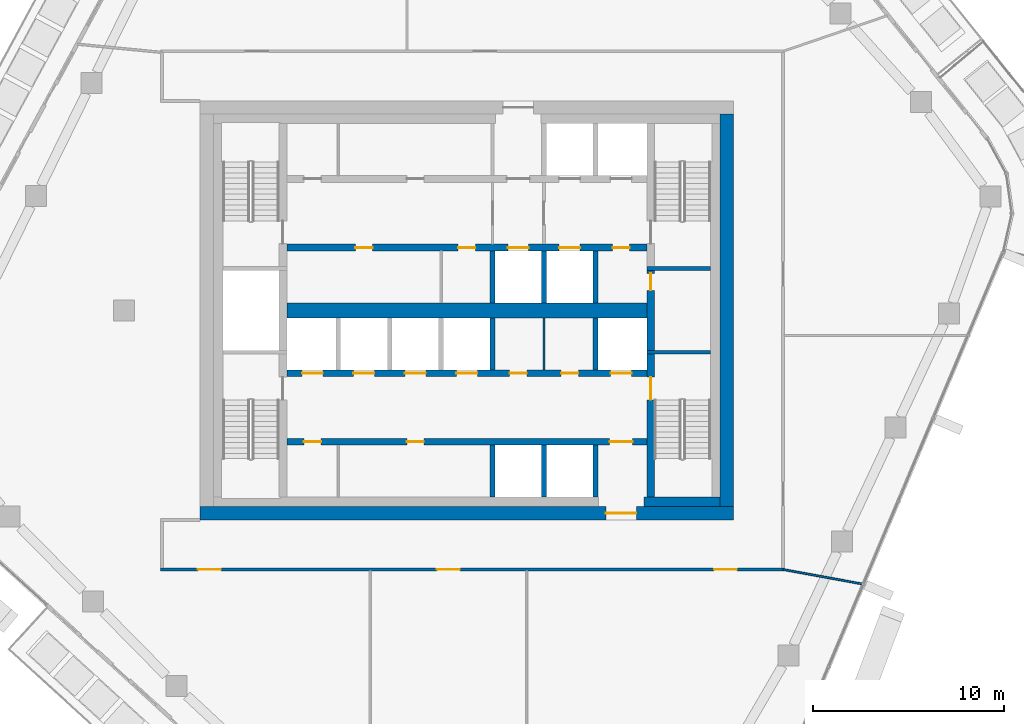
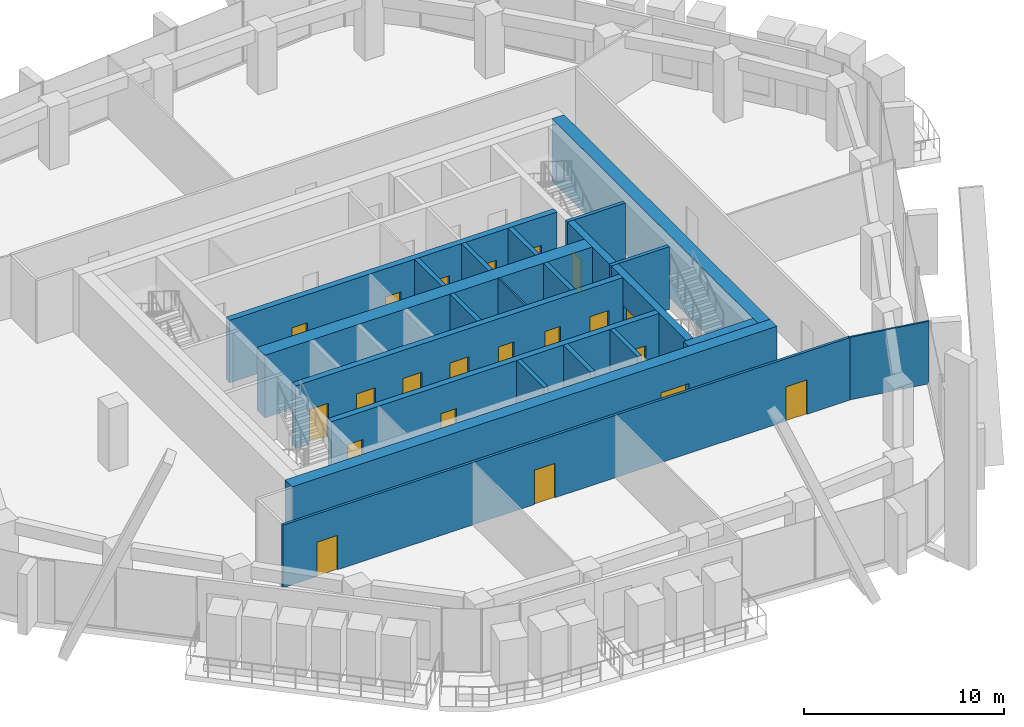
# One storey, part 12 of 20: 22 walls, 21 doors, 21 openings.
"""IFC4 building model written with IfcOpenShell, lengths in metres."""

from ifc_helpers import new_model, si_unit, direction, frame, frame_2d, origin, place, context, subcontext, project, spatial, rectangle, extrude, material, layer, layer_set, type_object, element, fill, save


model = new_model("IFC4")

# Units and contexts
model_context = context("Model", 3, precision=1e-05, world=origin(), true_north=direction((0.0, 1.0)))
body_context = subcontext(model_context, "Body", "Model", "MODEL_VIEW")
ifc_project = project(units=[si_unit("LENGTHUNIT", "METRE"), si_unit("AREAUNIT", "SQUARE_METRE"), si_unit("VOLUMEUNIT", "CUBIC_METRE"), si_unit("PLANEANGLEUNIT", "RADIAN"), si_unit("MASSUNIT", "GRAM", prefix="KILO")], contexts=[model_context])

# Site, building, storey
site_placement = place(None, origin())
site = spatial("IfcSite", under=ifc_project, at=site_placement, CompositionType="ELEMENT")
building_placement = place(site_placement, origin())
building = spatial("IfcBuilding", under=site, at=building_placement, Name="Dongbaek Canopy Tower", CompositionType="ELEMENT")
storey_placement = place(building_placement, frame((0.0, 0.0, 253.800048828125)))
storey = spatial("IfcBuildingStorey", under=building, at=storey_placement, Name="L53", CompositionType="ELEMENT", Elevation=253.800048828125)

# Wall
ifc_material_1 = material(Name="Concrete C60/75", Category="concrete")
ifc_layer_1 = layer(ifc_material_1, 0.800048828125)
ifc_layer_set_1 = layer_set([ifc_layer_1], Name="Core central wall 800 Concrete C60/75")
wall_type_1 = type_object("IfcWallType", Name="Core central wall 800 Concrete C60/75", PredefinedType="SHEAR", material=ifc_layer_set_1)
wall_1_placement = place(storey_placement, frame((-9.449951171875, 0.0, 0.0), z_axis=(0.0, 0.0, 1.0), x_axis=(1.0, 0.0, 0.0)))
element("IfcWall", 1, at=wall_1_placement, inside=storey, type_object=wall_type_1, Name="Core wall", PredefinedType="SHEAR", context=body_context, shape_type="SweptSolid", body=[
    extrude(rectangle(XDim=18.89990234375, YDim=0.800048828125, at=frame_2d((9.449951171875, 0.0))), origin(), (0.0, 0.0, 1.0), 3.820068359375),
])

# Wall, openings, doors
ifc_material_2 = material(Name="Concrete C60/75", Category="concrete")
ifc_layer_2 = layer(ifc_material_2, 0.35009765625)
ifc_layer_set_2 = layer_set([ifc_layer_2], Name="Core lobby wall 350 Concrete C60/75")
wall_type_2 = type_object("IfcWallType", Name="Core lobby wall 350 Concrete C60/75", PredefinedType="SHEAR", material=ifc_layer_set_2)
wall_2_placement = place(storey_placement, frame((9.449951171875, 3.300048828125, 0.0), z_axis=(0.0, 0.0, 1.0), x_axis=(-1.0, 0.0, 0.0)))
wall_2 = element("IfcWall", 2, at=wall_2_placement, inside=storey, type_object=wall_type_2, Name="Core wall", PredefinedType="SHEAR", context=body_context, shape_type="SweptSolid", body=[
    extrude(rectangle(XDim=18.89990234375, YDim=0.35009765625, at=frame_2d((9.449951171875, 0.0))), origin(), (0.0, 0.0, 1.0), 3.820068359375),
])
opening_1_placement = place(wall_2_placement, frame((6.199951171875, 0.0, 0.0)))
opening_1 = element("IfcOpeningElement", 3, at=opening_1_placement, cuts=wall_2, Name="Opening L53-D013", PredefinedType="OPENING", context=body_context, shape_type="SweptSolid", body=[
    extrude(rectangle(XDim=1.10009765625, YDim=2.10009765625, at=frame_2d((0.550048828125, 1.050048828125))), frame((0.0, 0.18505859375, 0.0), z_axis=(0.0, -1.0, 0.0), x_axis=(1.0, 0.0, 0.0)), (0.0, 0.0, 1.0), 0.3701171875),
])
opening_2_placement = place(wall_2_placement, frame((3.5, 0.0, 0.0)))
opening_2 = element("IfcOpeningElement", 4, at=opening_2_placement, cuts=wall_2, Name="Opening L53-D014", PredefinedType="OPENING", context=body_context, shape_type="SweptSolid", body=[
    extrude(rectangle(XDim=1.10009765625, YDim=2.10009765625, at=frame_2d((0.550048828125, 1.050048828125))), frame((0.0, 0.18505859375, 0.0), z_axis=(0.0, -1.0, 0.0), x_axis=(1.0, 0.0, 0.0)), (0.0, 0.0, 1.0), 0.3701171875),
])
opening_3_placement = place(wall_2_placement, frame((0.89990234375, 0.0, 0.0)))
opening_3 = element("IfcOpeningElement", 5, at=opening_3_placement, cuts=wall_2, Name="Opening L53-D015", PredefinedType="OPENING", context=body_context, shape_type="SweptSolid", body=[
    extrude(rectangle(XDim=0.89990234375, YDim=2.10009765625, at=frame_2d((0.449951171875, 1.050048828125))), frame((0.0, 0.18505859375, 0.0), z_axis=(0.0, -1.0, 0.0), x_axis=(1.0, 0.0, 0.0)), (0.0, 0.0, 1.0), 0.3701171875),
])
opening_4_placement = place(wall_2_placement, frame((14.39990234375, 0.0, 0.0)))
opening_4 = element("IfcOpeningElement", 6, at=opening_4_placement, cuts=wall_2, Name="Opening L53-D025", PredefinedType="OPENING", context=body_context, shape_type="SweptSolid", body=[
    extrude(rectangle(XDim=0.89990234375, YDim=2.10009765625, at=frame_2d((0.449951171875, 1.050048828125))), frame((0.0, 0.18505859375, 0.0), z_axis=(0.0, -1.0, 0.0), x_axis=(1.0, 0.0, 0.0)), (0.0, 0.0, 1.0), 0.3701171875),
])
opening_5_placement = place(wall_2_placement, frame((9.0, 0.0, 0.0)))
opening_5 = element("IfcOpeningElement", 7, at=opening_5_placement, cuts=wall_2, Name="Opening L53-D026", PredefinedType="OPENING", context=body_context, shape_type="SweptSolid", body=[
    extrude(rectangle(XDim=0.89990234375, YDim=2.10009765625, at=frame_2d((0.449951171875, 1.050048828125))), frame((0.0, 0.18505859375, 0.0), z_axis=(0.0, -1.0, 0.0), x_axis=(1.0, 0.0, 0.0)), (0.0, 0.0, 1.0), 0.3701171875),
])
ifc_material_3 = material(Name="Steel", Category="steel")
door_type_1 = type_object("IfcDoorType", Name="Core room door 900 x 2100", OperationType="SINGLE_SWING_LEFT", PredefinedType="DOOR", material=ifc_material_3)
door_1_placement = place(opening_3_placement, origin())
door_1 = element("IfcDoor", 8, at=door_1_placement, inside=storey, type_object=door_type_1, Name="Door L53-D015", OperationType="SINGLE_SWING_LEFT", OverallHeight=2.10009765625, OverallWidth=0.89990234375, PredefinedType="DOOR", context=body_context, shape_type="SweptSolid", body=[
    extrude(rectangle(XDim=0.89990234375, YDim=2.10009765625, at=frame_2d((0.449951171875, 1.050048828125))), frame((0.0, 0.02490234375, 0.0), z_axis=(0.0, -1.0, 0.0), x_axis=(1.0, 0.0, 0.0)), (0.0, 0.0, 1.0), 0.050048828125),
])
fill(opening_3, door_1)
door_2_placement = place(opening_4_placement, origin())
door_2 = element("IfcDoor", 9, at=door_2_placement, inside=storey, type_object=door_type_1, Name="Door L53-D025", OperationType="SINGLE_SWING_RIGHT", OverallHeight=2.10009765625, OverallWidth=0.89990234375, PredefinedType="DOOR", context=body_context, shape_type="SweptSolid", body=[
    extrude(rectangle(XDim=0.89990234375, YDim=2.10009765625, at=frame_2d((0.449951171875, 1.050048828125))), frame((0.0, 0.02490234375, 0.0), z_axis=(0.0, -1.0, 0.0), x_axis=(1.0, 0.0, 0.0)), (0.0, 0.0, 1.0), 0.050048828125),
])
fill(opening_4, door_2)
door_3_placement = place(opening_5_placement, origin())
door_3 = element("IfcDoor", 10, at=door_3_placement, inside=storey, type_object=door_type_1, Name="Door L53-D026", OperationType="SINGLE_SWING_LEFT", OverallHeight=2.10009765625, OverallWidth=0.89990234375, PredefinedType="DOOR", context=body_context, shape_type="SweptSolid", body=[
    extrude(rectangle(XDim=0.89990234375, YDim=2.10009765625, at=frame_2d((0.449951171875, 1.050048828125))), frame((0.0, 0.02490234375, 0.0), z_axis=(0.0, -1.0, 0.0), x_axis=(1.0, 0.0, 0.0)), (0.0, 0.0, 1.0), 0.050048828125),
])
fill(opening_5, door_3)
ifc_material_4 = material(Name="Stainless steel", Category="steel")
door_type_2 = type_object("IfcDoorType", Name="Lift landing door 1100 x 2100", OperationType="DOUBLE_DOOR_SLIDING", PredefinedType="DOOR", material=ifc_material_4)
door_4_placement = place(opening_1_placement, origin())
door_4 = element("IfcDoor", 11, at=door_4_placement, inside=storey, type_object=door_type_2, Name="Landing door SV1", OperationType="DOUBLE_DOOR_SLIDING", OverallHeight=2.10009765625, OverallWidth=1.10009765625, PredefinedType="DOOR", context=body_context, shape_type="SweptSolid", body=[
    extrude(rectangle(XDim=1.10009765625, YDim=2.10009765625, at=frame_2d((0.550048828125, 1.050048828125))), frame((0.0, 0.02490234375, 0.0), z_axis=(0.0, -1.0, 0.0), x_axis=(1.0, 0.0, 0.0)), (0.0, 0.0, 1.0), 0.050048828125),
])
fill(opening_1, door_4)
door_5_placement = place(opening_2_placement, origin())
door_5 = element("IfcDoor", 12, at=door_5_placement, inside=storey, type_object=door_type_2, Name="Landing door FF3", OperationType="DOUBLE_DOOR_SLIDING", OverallHeight=2.10009765625, OverallWidth=1.10009765625, PredefinedType="DOOR", context=body_context, shape_type="SweptSolid", body=[
    extrude(rectangle(XDim=1.10009765625, YDim=2.10009765625, at=frame_2d((0.550048828125, 1.050048828125))), frame((0.0, 0.02490234375, 0.0), z_axis=(0.0, -1.0, 0.0), x_axis=(1.0, 0.0, 0.0)), (0.0, 0.0, 1.0), 0.050048828125),
])
fill(opening_2, door_5)

wall_3_placement = place(storey_placement, frame((-9.449951171875, -3.300048828125, 0.0), z_axis=(0.0, 0.0, 1.0), x_axis=(1.0, 0.0, 0.0)))
wall_3 = element("IfcWall", 13, at=wall_3_placement, inside=storey, type_object=wall_type_2, Name="Core wall", PredefinedType="SHEAR", context=body_context, shape_type="SweptSolid", body=[
    extrude(rectangle(XDim=18.89990234375, YDim=0.35009765625, at=frame_2d((9.449951171875, 0.0))), origin(), (0.0, 0.0, 1.0), 3.820068359375),
])
opening_6_placement = place(wall_3_placement, frame((0.800048828125, 0.0, 0.0)))
opening_6 = element("IfcOpeningElement", 14, at=opening_6_placement, cuts=wall_3, Name="Opening L53-D016", PredefinedType="OPENING", context=body_context, shape_type="SweptSolid", body=[
    extrude(rectangle(XDim=1.10009765625, YDim=2.10009765625, at=frame_2d((0.550048828125, 1.050048828125))), frame((0.0, 0.18505859375, 0.0), z_axis=(0.0, -1.0, 0.0), x_axis=(1.0, 0.0, 0.0)), (0.0, 0.0, 1.0), 0.3701171875),
])
opening_7_placement = place(wall_3_placement, frame((3.5, 0.0, 0.0)))
opening_7 = element("IfcOpeningElement", 15, at=opening_7_placement, cuts=wall_3, Name="Opening L53-D017", PredefinedType="OPENING", context=body_context, shape_type="SweptSolid", body=[
    extrude(rectangle(XDim=1.10009765625, YDim=2.10009765625, at=frame_2d((0.550048828125, 1.050048828125))), frame((0.0, 0.18505859375, 0.0), z_axis=(0.0, -1.0, 0.0), x_axis=(1.0, 0.0, 0.0)), (0.0, 0.0, 1.0), 0.3701171875),
])
opening_8_placement = place(wall_3_placement, frame((6.199951171875, 0.0, 0.0)))
opening_8 = element("IfcOpeningElement", 16, at=opening_8_placement, cuts=wall_3, Name="Opening L53-D018", PredefinedType="OPENING", context=body_context, shape_type="SweptSolid", body=[
    extrude(rectangle(XDim=1.10009765625, YDim=2.10009765625, at=frame_2d((0.550048828125, 1.050048828125))), frame((0.0, 0.18505859375, 0.0), z_axis=(0.0, -1.0, 0.0), x_axis=(1.0, 0.0, 0.0)), (0.0, 0.0, 1.0), 0.3701171875),
])
opening_9_placement = place(wall_3_placement, frame((8.89990234375, 0.0, 0.0)))
opening_9 = element("IfcOpeningElement", 17, at=opening_9_placement, cuts=wall_3, Name="Opening L53-D019", PredefinedType="OPENING", context=body_context, shape_type="SweptSolid", body=[
    extrude(rectangle(XDim=1.10009765625, YDim=2.10009765625, at=frame_2d((0.550048828125, 1.050048828125))), frame((0.0, 0.18505859375, 0.0), z_axis=(0.0, -1.0, 0.0), x_axis=(1.0, 0.0, 0.0)), (0.0, 0.0, 1.0), 0.3701171875),
])
opening_10_placement = place(wall_3_placement, frame((17.0, 0.0, 0.0)))
opening_10 = element("IfcOpeningElement", 18, at=opening_10_placement, cuts=wall_3, Name="Opening L53-D020", PredefinedType="OPENING", context=body_context, shape_type="SweptSolid", body=[
    extrude(rectangle(XDim=1.10009765625, YDim=2.10009765625, at=frame_2d((0.550048828125, 1.050048828125))), frame((0.0, 0.18505859375, 0.0), z_axis=(0.0, -1.0, 0.0), x_axis=(1.0, 0.0, 0.0)), (0.0, 0.0, 1.0), 0.3701171875),
])
opening_11_placement = place(wall_3_placement, frame((11.699951171875, 0.0, 0.0)))
opening_11 = element("IfcOpeningElement", 19, at=opening_11_placement, cuts=wall_3, Name="Opening L53-D027", PredefinedType="OPENING", context=body_context, shape_type="SweptSolid", body=[
    extrude(rectangle(XDim=0.89990234375, YDim=2.10009765625, at=frame_2d((0.449951171875, 1.050048828125))), frame((0.0, 0.18505859375, 0.0), z_axis=(0.0, -1.0, 0.0), x_axis=(1.0, 0.0, 0.0)), (0.0, 0.0, 1.0), 0.3701171875),
])
opening_12_placement = place(wall_3_placement, frame((14.39990234375, 0.0, 0.0)))
opening_12 = element("IfcOpeningElement", 20, at=opening_12_placement, cuts=wall_3, Name="Opening L53-D028", PredefinedType="OPENING", context=body_context, shape_type="SweptSolid", body=[
    extrude(rectangle(XDim=0.89990234375, YDim=2.10009765625, at=frame_2d((0.449951171875, 1.050048828125))), frame((0.0, 0.18505859375, 0.0), z_axis=(0.0, -1.0, 0.0), x_axis=(1.0, 0.0, 0.0)), (0.0, 0.0, 1.0), 0.3701171875),
])
door_6_placement = place(opening_11_placement, origin())
door_6 = element("IfcDoor", 21, at=door_6_placement, inside=storey, type_object=door_type_1, Name="Door L53-D027", OperationType="SINGLE_SWING_RIGHT", OverallHeight=2.10009765625, OverallWidth=0.89990234375, PredefinedType="DOOR", context=body_context, shape_type="SweptSolid", body=[
    extrude(rectangle(XDim=0.89990234375, YDim=2.10009765625, at=frame_2d((0.449951171875, 1.050048828125))), frame((0.0, 0.02490234375, 0.0), z_axis=(0.0, -1.0, 0.0), x_axis=(1.0, 0.0, 0.0)), (0.0, 0.0, 1.0), 0.050048828125),
])
fill(opening_11, door_6)
door_7_placement = place(opening_12_placement, origin())
door_7 = element("IfcDoor", 22, at=door_7_placement, inside=storey, type_object=door_type_1, Name="Door L53-D028", OperationType="SINGLE_SWING_LEFT", OverallHeight=2.10009765625, OverallWidth=0.89990234375, PredefinedType="DOOR", context=body_context, shape_type="SweptSolid", body=[
    extrude(rectangle(XDim=0.89990234375, YDim=2.10009765625, at=frame_2d((0.449951171875, 1.050048828125))), frame((0.0, 0.02490234375, 0.0), z_axis=(0.0, -1.0, 0.0), x_axis=(1.0, 0.0, 0.0)), (0.0, 0.0, 1.0), 0.050048828125),
])
fill(opening_12, door_7)
door_8_placement = place(opening_6_placement, origin())
door_8 = element("IfcDoor", 23, at=door_8_placement, inside=storey, type_object=door_type_2, Name="Landing door MR1", OperationType="DOUBLE_DOOR_SLIDING", OverallHeight=2.10009765625, OverallWidth=1.10009765625, PredefinedType="DOOR", context=body_context, shape_type="SweptSolid", body=[
    extrude(rectangle(XDim=1.10009765625, YDim=2.10009765625, at=frame_2d((0.550048828125, 1.050048828125))), frame((0.0, 0.02490234375, 0.0), z_axis=(0.0, -1.0, 0.0), x_axis=(1.0, 0.0, 0.0)), (0.0, 0.0, 1.0), 0.050048828125),
])
fill(opening_6, door_8)
door_9_placement = place(opening_7_placement, origin())
door_9 = element("IfcDoor", 24, at=door_9_placement, inside=storey, type_object=door_type_2, Name="Landing door MR2", OperationType="DOUBLE_DOOR_SLIDING", OverallHeight=2.10009765625, OverallWidth=1.10009765625, PredefinedType="DOOR", context=body_context, shape_type="SweptSolid", body=[
    extrude(rectangle(XDim=1.10009765625, YDim=2.10009765625, at=frame_2d((0.550048828125, 1.050048828125))), frame((0.0, 0.02490234375, 0.0), z_axis=(0.0, -1.0, 0.0), x_axis=(1.0, 0.0, 0.0)), (0.0, 0.0, 1.0), 0.050048828125),
])
fill(opening_7, door_9)
door_10_placement = place(opening_8_placement, origin())
door_10 = element("IfcDoor", 25, at=door_10_placement, inside=storey, type_object=door_type_2, Name="Landing door MR3", OperationType="DOUBLE_DOOR_SLIDING", OverallHeight=2.10009765625, OverallWidth=1.10009765625, PredefinedType="DOOR", context=body_context, shape_type="SweptSolid", body=[
    extrude(rectangle(XDim=1.10009765625, YDim=2.10009765625, at=frame_2d((0.550048828125, 1.050048828125))), frame((0.0, 0.02490234375, 0.0), z_axis=(0.0, -1.0, 0.0), x_axis=(1.0, 0.0, 0.0)), (0.0, 0.0, 1.0), 0.050048828125),
])
fill(opening_8, door_10)
door_11_placement = place(opening_9_placement, origin())
door_11 = element("IfcDoor", 26, at=door_11_placement, inside=storey, type_object=door_type_2, Name="Landing door MR4", OperationType="DOUBLE_DOOR_SLIDING", OverallHeight=2.10009765625, OverallWidth=1.10009765625, PredefinedType="DOOR", context=body_context, shape_type="SweptSolid", body=[
    extrude(rectangle(XDim=1.10009765625, YDim=2.10009765625, at=frame_2d((0.550048828125, 1.050048828125))), frame((0.0, 0.02490234375, 0.0), z_axis=(0.0, -1.0, 0.0), x_axis=(1.0, 0.0, 0.0)), (0.0, 0.0, 1.0), 0.050048828125),
])
fill(opening_9, door_11)
door_12_placement = place(opening_10_placement, origin())
door_12 = element("IfcDoor", 27, at=door_12_placement, inside=storey, type_object=door_type_2, Name="Landing door SV2", OperationType="DOUBLE_DOOR_SLIDING", OverallHeight=2.10009765625, OverallWidth=1.10009765625, PredefinedType="DOOR", context=body_context, shape_type="SweptSolid", body=[
    extrude(rectangle(XDim=1.10009765625, YDim=2.10009765625, at=frame_2d((0.550048828125, 1.050048828125))), frame((0.0, 0.02490234375, 0.0), z_axis=(0.0, -1.0, 0.0), x_axis=(1.0, 0.0, 0.0)), (0.0, 0.0, 1.0), 0.050048828125),
])
fill(opening_10, door_12)

wall_4_placement = place(storey_placement, frame((9.449951171875, -6.89990234375, 0.0), z_axis=(0.0, 0.0, 1.0), x_axis=(-1.0, 0.0, 0.0)))
wall_4 = element("IfcWall", 28, at=wall_4_placement, inside=storey, type_object=wall_type_2, Name="Core wall", PredefinedType="SHEAR", context=body_context, shape_type="SweptSolid", body=[
    extrude(rectangle(XDim=18.89990234375, YDim=0.35009765625, at=frame_2d((9.449951171875, 0.0))), origin(), (0.0, 0.0, 1.0), 3.820068359375),
])
opening_13_placement = place(wall_4_placement, frame((0.75, 0.0, 0.0)))
opening_13 = element("IfcOpeningElement", 29, at=opening_13_placement, cuts=wall_4, Name="Opening L53-D022", PredefinedType="OPENING", context=body_context, shape_type="SweptSolid", body=[
    extrude(rectangle(XDim=1.199951171875, YDim=2.10009765625, at=frame_2d((0.60009765625, 1.050048828125))), frame((0.0, 0.18505859375, 0.0), z_axis=(0.0, -1.0, 0.0), x_axis=(1.0, 0.0, 0.0)), (0.0, 0.0, 1.0), 0.3701171875),
])
opening_14_placement = place(wall_4_placement, frame((17.10009765625, 0.0, 0.0)))
opening_14 = element("IfcOpeningElement", 30, at=opening_14_placement, cuts=wall_4, Name="Opening L53-D029", PredefinedType="OPENING", context=body_context, shape_type="SweptSolid", body=[
    extrude(rectangle(XDim=0.89990234375, YDim=2.10009765625, at=frame_2d((0.449951171875, 1.050048828125))), frame((0.0, 0.18505859375, 0.0), z_axis=(0.0, -1.0, 0.0), x_axis=(1.0, 0.0, 0.0)), (0.0, 0.0, 1.0), 0.3701171875),
])
opening_15_placement = place(wall_4_placement, frame((11.699951171875, 0.0, 0.0)))
opening_15 = element("IfcOpeningElement", 31, at=opening_15_placement, cuts=wall_4, Name="Opening L53-D030", PredefinedType="OPENING", context=body_context, shape_type="SweptSolid", body=[
    extrude(rectangle(XDim=0.89990234375, YDim=2.10009765625, at=frame_2d((0.449951171875, 1.050048828125))), frame((0.0, 0.18505859375, 0.0), z_axis=(0.0, -1.0, 0.0), x_axis=(1.0, 0.0, 0.0)), (0.0, 0.0, 1.0), 0.3701171875),
])
door_13_placement = place(opening_14_placement, origin())
door_13 = element("IfcDoor", 32, at=door_13_placement, inside=storey, type_object=door_type_1, Name="Door L53-D029", OperationType="SINGLE_SWING_RIGHT", OverallHeight=2.10009765625, OverallWidth=0.89990234375, PredefinedType="DOOR", context=body_context, shape_type="SweptSolid", body=[
    extrude(rectangle(XDim=0.89990234375, YDim=2.10009765625, at=frame_2d((0.449951171875, 1.050048828125))), frame((0.0, 0.02490234375, 0.0), z_axis=(0.0, -1.0, 0.0), x_axis=(1.0, 0.0, 0.0)), (0.0, 0.0, 1.0), 0.050048828125),
])
fill(opening_14, door_13)
door_14_placement = place(opening_15_placement, origin())
door_14 = element("IfcDoor", 33, at=door_14_placement, inside=storey, type_object=door_type_1, Name="Door L53-D030", OperationType="SINGLE_SWING_LEFT", OverallHeight=2.10009765625, OverallWidth=0.89990234375, PredefinedType="DOOR", context=body_context, shape_type="SweptSolid", body=[
    extrude(rectangle(XDim=0.89990234375, YDim=2.10009765625, at=frame_2d((0.449951171875, 1.050048828125))), frame((0.0, 0.02490234375, 0.0), z_axis=(0.0, -1.0, 0.0), x_axis=(1.0, 0.0, 0.0)), (0.0, 0.0, 1.0), 0.050048828125),
])
fill(opening_15, door_14)
ifc_material_5 = material(Name="Steel", Category="steel")
door_type_3 = type_object("IfcDoorType", Name="Fire lobby door 1200 x 2100", OperationType="SINGLE_SWING_LEFT", PredefinedType="DOOR", material=ifc_material_5)
door_15_placement = place(opening_13_placement, origin())
door_15 = element("IfcDoor", 34, at=door_15_placement, inside=storey, type_object=door_type_3, Name="Door L53-D022", OperationType="SINGLE_SWING_LEFT", OverallHeight=2.10009765625, OverallWidth=1.199951171875, PredefinedType="DOOR", context=body_context, shape_type="SweptSolid", body=[
    extrude(rectangle(XDim=1.199951171875, YDim=2.10009765625, at=frame_2d((0.60009765625, 1.050048828125))), frame((0.0, 0.02490234375, 0.0), z_axis=(0.0, -1.0, 0.0), x_axis=(1.0, 0.0, 0.0)), (0.0, 0.0, 1.0), 0.050048828125),
])
fill(opening_13, door_15)

# Wall, opening, door
ifc_material_6 = material(Name="Concrete C70/85", Category="concrete")
ifc_layer_3 = layer(ifc_material_6, 0.699951171875)
ifc_layer_set_3 = layer_set([ifc_layer_3], Name="Core outer wall 700 Concrete C70/85")
wall_type_3 = type_object("IfcWallType", Name="Core outer wall 700 Concrete C70/85", PredefinedType="SHEAR", material=ifc_layer_set_3)
wall_5_placement = place(storey_placement, frame((14.0, -10.64990234375, 0.0), z_axis=(0.0, 0.0, 1.0), x_axis=(-1.0, 0.0, 0.0)))
wall_5 = element("IfcWall", 35, at=wall_5_placement, inside=storey, type_object=wall_type_3, Name="Core wall", PredefinedType="SHEAR", context=body_context, shape_type="SweptSolid", body=[
    extrude(rectangle(XDim=28.0, YDim=0.699951171875, at=frame_2d((14.0, 0.0))), origin(), (0.0, 0.0, 1.0), 3.820068359375),
])
opening_16_placement = place(wall_5_placement, frame((5.10009765625, 0.0, 0.0)))
opening_16 = element("IfcOpeningElement", 36, at=opening_16_placement, cuts=wall_5, Name="Opening L53-D021", PredefinedType="OPENING", context=body_context, shape_type="SweptSolid", body=[
    extrude(rectangle(XDim=1.60009765625, YDim=2.10009765625, at=frame_2d((0.800048828125, 1.050048828125))), frame((0.0, 0.35986328125, 0.0), z_axis=(0.0, -1.0, 0.0), x_axis=(1.0, 0.0, 0.0)), (0.0, 0.0, 1.0), 0.719970703125),
])
ifc_material_7 = material(Name="Steel", Category="steel")
door_type_4 = type_object("IfcDoorType", Name="Core exit door 1600 x 2100", OperationType="DOUBLE_DOOR_SINGLE_SWING", PredefinedType="DOOR", material=ifc_material_7)
door_16_placement = place(opening_16_placement, origin())
door_16 = element("IfcDoor", 37, at=door_16_placement, inside=storey, type_object=door_type_4, Name="Core exit door", OperationType="DOUBLE_DOOR_SINGLE_SWING", OverallHeight=2.10009765625, OverallWidth=1.60009765625, PredefinedType="DOOR", context=body_context, shape_type="SweptSolid", body=[
    extrude(rectangle(XDim=1.60009765625, YDim=2.10009765625, at=frame_2d((0.800048828125, 1.050048828125))), frame((0.0, 0.02490234375, 0.0), z_axis=(0.0, -1.0, 0.0), x_axis=(1.0, 0.0, 0.0)), (0.0, 0.0, 1.0), 0.050048828125),
])
fill(opening_16, door_16)

# Walls
wall_6_placement = place(storey_placement, frame((13.64990234375, 10.300048828125, 0.0), z_axis=(0.0, 0.0, 1.0), x_axis=(0.0, -1.0, 0.0)))
element("IfcWall", 38, at=wall_6_placement, inside=storey, type_object=wall_type_3, Name="Core wall", PredefinedType="SHEAR", context=body_context, shape_type="SweptSolid", body=[
    extrude(rectangle(XDim=20.60009765625, YDim=0.699951171875, at=frame_2d((10.300048828125, 0.0))), origin(), (0.0, 0.0, 1.0), 3.820068359375),
])
ifc_material_8 = material(Name="Concrete C60/75", Category="concrete")
ifc_layer_4 = layer(ifc_material_8, 0.5)
ifc_layer_set_4 = layer_set([ifc_layer_4], Name="Core wall lining 500 Concrete C60/75")
wall_type_4 = type_object("IfcWallType", Name="Core wall lining 500 Concrete C60/75", PredefinedType="SHEAR", material=ifc_layer_set_4)
wall_7_placement = place(storey_placement, frame((13.300048828125, -10.050048828125, 0.0), z_axis=(0.0, 0.0, 1.0), x_axis=(-1.0, 0.0, 0.0)))
element("IfcWall", 39, at=wall_7_placement, inside=storey, type_object=wall_type_4, Name="Core wall lining", PredefinedType="SHEAR", context=body_context, shape_type="SweptSolid", body=[
    extrude(rectangle(XDim=4.0, YDim=0.5, at=frame_2d((2.0, 0.0))), origin(), (0.0, 0.0, 1.0), 3.820068359375),
])

# Wall, openings, doors
ifc_material_9 = material(Name="Gypsum board partition, steel stud, 2 x 15 mm fire board", Category="steel")
ifc_layer_5 = layer(ifc_material_9, 0.14990234375)
ifc_layer_set_5 = layer_set([ifc_layer_5], Name="Fire-rated partition 150 gypsum board")
wall_type_5 = type_object("IfcWallType", Name="Fire-rated partition 150 gypsum board", PredefinedType="PARTITIONING", material=ifc_layer_set_5)
wall_8_placement = place(storey_placement, frame((16.675048828125, -13.60009765625, 0.0), z_axis=(0.0, 0.0, 1.0), x_axis=(-1.0, 0.0, 0.0)))
wall_8 = element("IfcWall", 40, at=wall_8_placement, inside=storey, type_object=wall_type_5, Name="Corridor partition", PredefinedType="PARTITIONING", context=body_context, shape_type="SweptSolid", body=[
    extrude(rectangle(XDim=32.75, YDim=0.14990234375, at=frame_2d((16.375, 0.0))), origin(), (0.0, 0.0, 1.0), 3.820068359375),
])
opening_17_placement = place(wall_8_placement, frame((29.586669921875, 0.0, 0.0)))
opening_17 = element("IfcOpeningElement", 41, at=opening_17_placement, cuts=wall_8, Name="Opening L53-D001", PredefinedType="OPENING", context=body_context, shape_type="SweptSolid", body=[
    extrude(rectangle(XDim=1.199951171875, YDim=2.10009765625, at=frame_2d((0.60009765625, 1.050048828125))), frame((0.0, 0.0849609375, 0.0), z_axis=(0.0, -1.0, 0.0), x_axis=(1.0, 0.0, 0.0)), (0.0, 0.0, 1.0), 0.169921875),
])
opening_18_placement = place(wall_8_placement, frame((17.0400390625, 0.0, 0.0)))
opening_18 = element("IfcOpeningElement", 42, at=opening_18_placement, cuts=wall_8, Name="Opening L53-D002", PredefinedType="OPENING", context=body_context, shape_type="SweptSolid", body=[
    extrude(rectangle(XDim=1.199951171875, YDim=2.10009765625, at=frame_2d((0.60009765625, 1.050048828125))), frame((0.0, 0.0849609375, 0.0), z_axis=(0.0, -1.0, 0.0), x_axis=(1.0, 0.0, 0.0)), (0.0, 0.0, 1.0), 0.169921875),
])
opening_19_placement = place(wall_8_placement, frame((2.494873046875, 0.0, 0.0)))
opening_19 = element("IfcOpeningElement", 43, at=opening_19_placement, cuts=wall_8, Name="Opening L53-D003", PredefinedType="OPENING", context=body_context, shape_type="SweptSolid", body=[
    extrude(rectangle(XDim=1.199951171875, YDim=2.10009765625, at=frame_2d((0.60009765625, 1.050048828125))), frame((0.0, 0.0849609375, 0.0), z_axis=(0.0, -1.0, 0.0), x_axis=(1.0, 0.0, 0.0)), (0.0, 0.0, 1.0), 0.169921875),
])
ifc_material_10 = material(Name="Timber veneered door leaf", Category="wood")
door_type_5 = type_object("IfcDoorType", Name="Room door 1200 x 2100", OperationType="SINGLE_SWING_LEFT", PredefinedType="DOOR", material=ifc_material_10)
door_17_placement = place(opening_17_placement, origin())
door_17 = element("IfcDoor", 44, at=door_17_placement, inside=storey, type_object=door_type_5, Name="Door L53-D001", OperationType="SINGLE_SWING_RIGHT", OverallHeight=2.10009765625, OverallWidth=1.199951171875, PredefinedType="DOOR", context=body_context, shape_type="SweptSolid", body=[
    extrude(rectangle(XDim=1.199951171875, YDim=2.10009765625, at=frame_2d((0.60009765625, 1.050048828125))), frame((0.0, 0.02490234375, 0.0), z_axis=(0.0, -1.0, 0.0), x_axis=(1.0, 0.0, 0.0)), (0.0, 0.0, 1.0), 0.050048828125),
])
fill(opening_17, door_17)
door_18_placement = place(opening_18_placement, origin())
door_18 = element("IfcDoor", 45, at=door_18_placement, inside=storey, type_object=door_type_5, Name="Door L53-D002", OperationType="SINGLE_SWING_LEFT", OverallHeight=2.10009765625, OverallWidth=1.199951171875, PredefinedType="DOOR", context=body_context, shape_type="SweptSolid", body=[
    extrude(rectangle(XDim=1.199951171875, YDim=2.10009765625, at=frame_2d((0.60009765625, 1.050048828125))), frame((0.0, 0.02490234375, 0.0), z_axis=(0.0, -1.0, 0.0), x_axis=(1.0, 0.0, 0.0)), (0.0, 0.0, 1.0), 0.050048828125),
])
fill(opening_18, door_18)
door_19_placement = place(opening_19_placement, origin())
door_19 = element("IfcDoor", 46, at=door_19_placement, inside=storey, type_object=door_type_5, Name="Door L53-D003", OperationType="SINGLE_SWING_RIGHT", OverallHeight=2.10009765625, OverallWidth=1.199951171875, PredefinedType="DOOR", context=body_context, shape_type="SweptSolid", body=[
    extrude(rectangle(XDim=1.199951171875, YDim=2.10009765625, at=frame_2d((0.60009765625, 1.050048828125))), frame((0.0, 0.02490234375, 0.0), z_axis=(0.0, -1.0, 0.0), x_axis=(1.0, 0.0, 0.0)), (0.0, 0.0, 1.0), 0.050048828125),
])
fill(opening_19, door_19)

# Walls
ifc_material_11 = material(Name="Concrete C40/50", Category="concrete")
ifc_layer_6 = layer(ifc_material_11, 0.25)
ifc_layer_set_6 = layer_set([ifc_layer_6], Name="Lift shaft wall 250 Concrete C40/50")
wall_type_6 = type_object("IfcWallType", Name="Lift shaft wall 250 Concrete C40/50", PredefinedType="SOLIDWALL", material=ifc_layer_set_6)
for number, where, z_axis, x_axis, name in (
    (47, (6.75, -9.800048828125, 0.0), (0.0, 0.0, 1.0), (0.0, 1.0, 0.0), "Lift shaft wall"),
    (48, (6.75, -3.125, 0.0), (0.0, 0.0, 1.0), (0.0, 1.0, 0.0), "Lift shaft wall"),
    (49, (6.75, 0.39990234375, 0.0), (0.0, 0.0, 1.0), (0.0, 1.0, 0.0), "Lift shaft wall"),
    (50, (4.050048828125, -9.800048828125, 0.0), (0.0, 0.0, 1.0), (0.0, 1.0, 0.0), "Lift shaft wall"),
    (51, (4.050048828125, 0.39990234375, 0.0), (0.0, 0.0, 1.0), (0.0, 1.0, 0.0), "Lift shaft wall"),
    (52, (1.35009765625, -9.800048828125, 0.0), (0.0, 0.0, 1.0), (0.0, 1.0, 0.0), "Lift shaft wall"),
    (53, (1.35009765625, -3.125, 0.0), (0.0, 0.0, 1.0), (0.0, 1.0, 0.0), "Lift shaft wall"),
    (54, (1.35009765625, 0.39990234375, 0.0), (0.0, 0.0, 1.0), (0.0, 1.0, 0.0), "Lift shaft wall"),
):
    element("IfcWall", number, at=place(storey_placement, frame(where, z_axis=z_axis, x_axis=x_axis)), inside=storey, type_object=wall_type_6, Name=name, PredefinedType="SOLIDWALL", context=body_context, shape_type="SweptSolid", body=[
        extrude(rectangle(XDim=2.72509765625, YDim=0.25, at=frame_2d((1.362548828125, 0.0))), origin(), (0.0, 0.0, 1.0), 3.820068359375),
    ])
ifc_material_12 = material(Name="Gypsum board partition, steel stud, 2 x 12.5 mm board", Category="steel")
ifc_layer_7 = layer(ifc_material_12, 0.10009765625)
ifc_layer_set_7 = layer_set([ifc_layer_7], Name="Partition 100 gypsum board")
wall_type_7 = type_object("IfcWallType", Name="Partition 100 gypsum board", PredefinedType="PARTITIONING", material=ifc_layer_set_7)
wall_9_placement = place(storey_placement, frame((16.60009765625, -13.599853515625, 0.0), z_axis=(0.0, 0.0, 1.0), x_axis=(0.983699688502, -0.179819139254, 0.0)))
element("IfcWall", 55, at=wall_9_placement, inside=storey, type_object=wall_type_7, Name="Partition", PredefinedType="PARTITIONING", context=body_context, shape_type="SweptSolid", body=[
    extrude(rectangle(XDim=4.279541015625, YDim=0.10009765625, at=frame_2d((2.1396484375, 0.0))), origin(), (0.0, 0.0, 1.0), 3.820068359375),
])
wall_10_placement = place(storey_placement, frame((4.050048828125, -3.125, 0.0), z_axis=(0.0, 0.0, 1.0), x_axis=(0.0, 1.0, 0.0)))
element("IfcWall", 56, at=wall_10_placement, inside=storey, type_object=wall_type_7, Name="Core partition", PredefinedType="PARTITIONING", context=body_context, shape_type="SweptSolid", body=[
    extrude(rectangle(XDim=2.72509765625, YDim=0.10009765625, at=frame_2d((1.362548828125, 0.0))), origin(), (0.0, 0.0, 1.0), 3.820068359375),
])
ifc_material_13 = material(Name="Concrete C60/75", Category="concrete")
ifc_layer_8 = layer(ifc_material_13, 0.199951171875)
ifc_layer_set_8 = layer_set([ifc_layer_8], Name="Riser wall 200 Concrete C60/75")
wall_type_8 = type_object("IfcWallType", Name="Riser wall 200 Concrete C60/75", PredefinedType="SHEAR", material=ifc_layer_set_8)
for number, where, z_axis, x_axis, name in (
    (57, (9.449951171875, 2.199951171875, 0.0), (0.0, 0.0, 1.0), (1.0, 0.0, 0.0), "Riser wall"),
    (58, (9.449951171875, -2.199951171875, 0.0), (0.0, 0.0, 1.0), (1.0, 0.0, 0.0), "Riser wall"),
):
    element("IfcWall", number, at=place(storey_placement, frame(where, z_axis=z_axis, x_axis=x_axis)), inside=storey, type_object=wall_type_8, Name=name, PredefinedType="SHEAR", context=body_context, shape_type="SweptSolid", body=[
        extrude(rectangle(XDim=3.35009765625, YDim=0.199951171875, at=frame_2d((1.675048828125, 0.0))), origin(), (0.0, 0.0, 1.0), 3.820068359375),
    ])

# Wall, opening, door
ifc_material_14 = material(Name="Concrete C60/75", Category="concrete")
ifc_layer_9 = layer(ifc_material_14, 0.39990234375)
ifc_layer_set_9 = layer_set([ifc_layer_9], Name="Stair wall 400 Concrete C60/75")
wall_type_9 = type_object("IfcWallType", Name="Stair wall 400 Concrete C60/75", PredefinedType="SHEAR", material=ifc_layer_set_9)
wall_11_placement = place(storey_placement, frame((9.64990234375, -2.300048828125, 0.0), z_axis=(0.0, 0.0, 1.0), x_axis=(0.0, -1.0, 0.0)))
wall_11 = element("IfcWall", 59, at=wall_11_placement, inside=storey, type_object=wall_type_9, Name="Stair wall", PredefinedType="SHEAR", context=body_context, shape_type="SweptSolid", body=[
    extrude(rectangle(XDim=7.5, YDim=0.39990234375, at=frame_2d((3.75, 0.0))), origin(), (0.0, 0.0, 1.0), 3.820068359375),
])
opening_20_placement = place(wall_11_placement, frame((1.199951171875, 0.0, 0.0)))
opening_20 = element("IfcOpeningElement", 60, at=opening_20_placement, cuts=wall_11, Name="Opening L53-D033", PredefinedType="OPENING", context=body_context, shape_type="SweptSolid", body=[
    extrude(rectangle(XDim=1.199951171875, YDim=2.10009765625, at=frame_2d((0.60009765625, 1.050048828125))), frame((0.0, 0.2099609375, 0.0), z_axis=(0.0, -1.0, 0.0), x_axis=(1.0, 0.0, 0.0)), (0.0, 0.0, 1.0), 0.419921875),
])
ifc_material_15 = material(Name="Steel", Category="steel")
door_type_6 = type_object("IfcDoorType", Name="Stair door 1200 x 2100", OperationType="SINGLE_SWING_LEFT", PredefinedType="DOOR", material=ifc_material_15)
door_20_placement = place(opening_20_placement, origin())
door_20 = element("IfcDoor", 61, at=door_20_placement, inside=storey, type_object=door_type_6, Name="Stair B door", OperationType="SINGLE_SWING_RIGHT", OverallHeight=2.10009765625, OverallWidth=1.199951171875, PredefinedType="DOOR", context=body_context, shape_type="SweptSolid", body=[
    extrude(rectangle(XDim=1.199951171875, YDim=2.10009765625, at=frame_2d((0.60009765625, 1.050048828125))), frame((0.0, 0.02490234375, 0.0), z_axis=(0.0, -1.0, 0.0), x_axis=(1.0, 0.0, 0.0)), (0.0, 0.0, 1.0), 0.050048828125),
])
fill(opening_20, door_20)

wall_12_placement = place(storey_placement, frame((9.64990234375, 2.10009765625, 0.0), z_axis=(0.0, 0.0, 1.0), x_axis=(0.0, -1.0, 0.0)))
wall_12 = element("IfcWall", 62, at=wall_12_placement, inside=storey, type_object=wall_type_9, Name="Stair wall", PredefinedType="SHEAR", context=body_context, shape_type="SweptSolid", body=[
    extrude(rectangle(XDim=4.2001953125, YDim=0.39990234375, at=frame_2d((2.10009765625, 0.0))), origin(), (0.0, 0.0, 1.0), 3.820068359375),
])
opening_21_placement = place(wall_12_placement, frame((0.14990234375, 0.0, 0.0)))
opening_21 = element("IfcOpeningElement", 63, at=opening_21_placement, cuts=wall_12, Name="Opening L53-D008", PredefinedType="OPENING", context=body_context, shape_type="SweptSolid", body=[
    extrude(rectangle(XDim=0.89990234375, YDim=2.10009765625, at=frame_2d((0.449951171875, 1.050048828125))), frame((0.0, 0.2099609375, 0.0), z_axis=(0.0, -1.0, 0.0), x_axis=(1.0, 0.0, 0.0)), (0.0, 0.0, 1.0), 0.419921875),
])
door_21_placement = place(opening_21_placement, origin())
door_21 = element("IfcDoor", 64, at=door_21_placement, inside=storey, type_object=door_type_1, Name="Door L53-D008", OperationType="SINGLE_SWING_RIGHT", OverallHeight=2.10009765625, OverallWidth=0.89990234375, PredefinedType="DOOR", context=body_context, shape_type="SweptSolid", body=[
    extrude(rectangle(XDim=0.89990234375, YDim=2.10009765625, at=frame_2d((0.449951171875, 1.050048828125))), frame((0.0, 0.02490234375, 0.0), z_axis=(0.0, -1.0, 0.0), x_axis=(1.0, 0.0, 0.0)), (0.0, 0.0, 1.0), 0.050048828125),
])
fill(opening_21, door_21)

save(model, "model.ifc")
